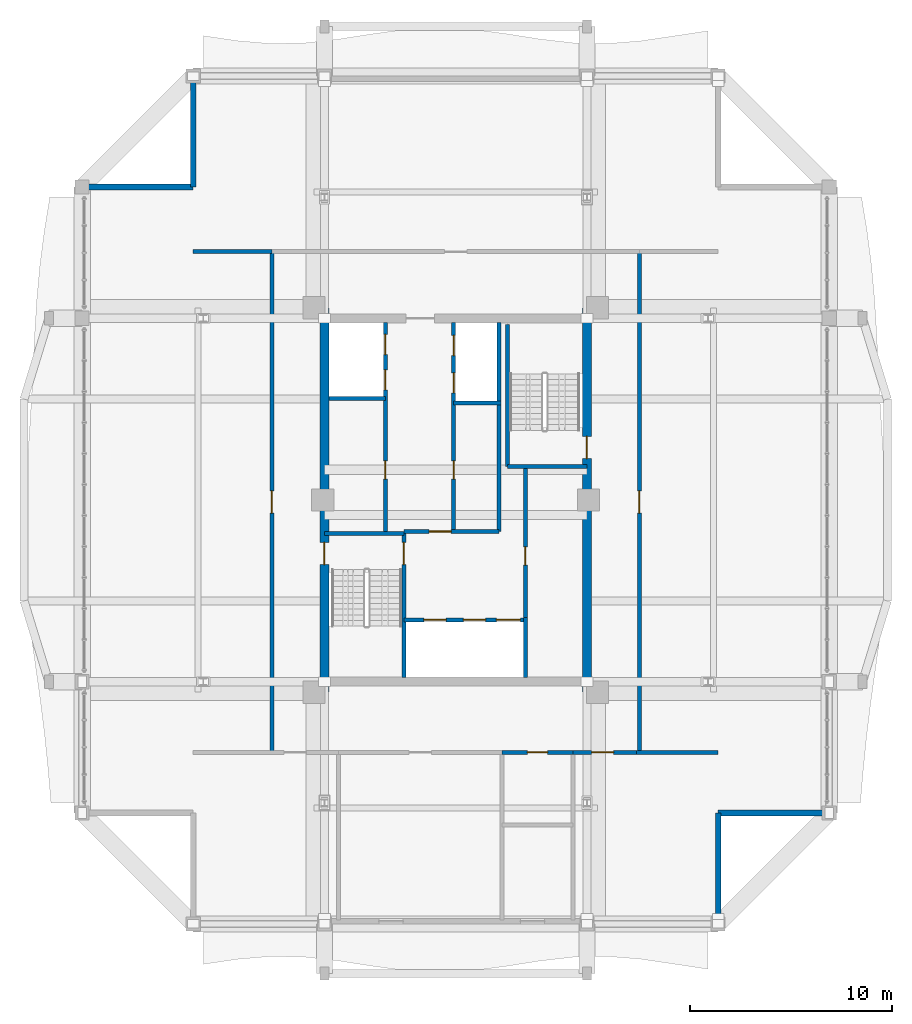
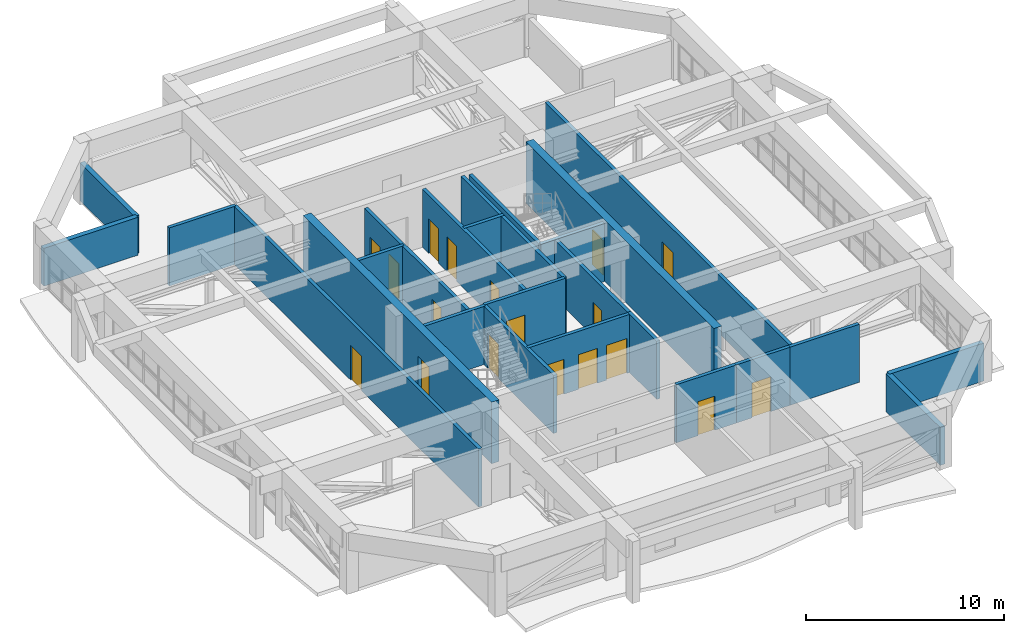
# One storey, part 21 of 25: 26 walls, 18 doors, 18 openings.
"""IFC4 building model written with IfcOpenShell, lengths in metres."""

from ifc_helpers import new_model, si_unit, direction, frame, frame_2d, origin, place, context, subcontext, project, spatial, rectangle, extrude, source, transform, mapped, material, layer, layer_set, type_object, element, fill, save


model = new_model("IFC4")

# Units and contexts
model_context = context("Model", 3, precision=1e-05, world=origin(), true_north=direction((0.0, 1.0)))
body_context = subcontext(model_context, "Body", "Model", "MODEL_VIEW")
ifc_project = project(units=[si_unit("LENGTHUNIT", "METRE"), si_unit("AREAUNIT", "SQUARE_METRE"), si_unit("VOLUMEUNIT", "CUBIC_METRE"), si_unit("PLANEANGLEUNIT", "RADIAN"), si_unit("MASSUNIT", "GRAM", prefix="KILO")], contexts=[model_context])

# Site, building, storey
site_placement = place(None, origin())
site = spatial("IfcSite", under=ifc_project, at=site_placement, CompositionType="ELEMENT")
building_placement = place(site_placement, origin())
building = spatial("IfcBuilding", under=site, at=building_placement, Name="Saelheon Loggia Tower", CompositionType="ELEMENT")
storey_placement = place(building_placement, frame((0.0, 0.0, 206.5)))
storey = spatial("IfcBuildingStorey", under=building, at=storey_placement, Name="L64", CompositionType="ELEMENT", Elevation=206.5)

# Wall, opening, door
ifc_material_1 = material(Name="Concrete C45/55", Category="concrete")
ifc_layer_1 = layer(ifc_material_1, 0.449951171875)
ifc_layer_set_1 = layer_set([ifc_layer_1], Name="Concrete C45/55")
wall_type_1 = type_object("IfcWallType", Name="Wall_CoreShear_450", PredefinedType="SHEAR", material=ifc_layer_set_1)
wall_1_placement = place(storey_placement, frame((31.5, 17.47998046875, 0.0), z_axis=(0.0, 0.0, 1.0), x_axis=(0.0, 1.0, 0.0)))
wall_1 = element("IfcWall", 1, at=wall_1_placement, inside=storey, type_object=wall_type_1, Name="L64 Core Shear Wall West", PredefinedType="SHEAR", context=body_context, shape_type="SweptSolid", body=[
    extrude(rectangle(XDim=19.0400390625, YDim=0.449951171875, at=frame_2d((9.52001953125, 0.0))), origin(), (0.0, 0.0, 1.0), 3.800048828125),
])
opening_1_placement = place(wall_1_placement, frame((6.320068359375, 0.0, 0.0)))
opening_1 = element("IfcOpeningElement", 2, at=opening_1_placement, cuts=wall_1, Name="Opening D-FD2", PredefinedType="OPENING", context=body_context, shape_type="SweptSolid", body=[
    extrude(rectangle(XDim=1.10009765625, YDim=2.14990234375, at=frame_2d((0.550048828125, 1.074951171875))), frame((0.0, 0.237060546875, 0.0), z_axis=(0.0, -1.0, 0.0), x_axis=(1.0, 0.0, 0.0)), (0.0, 0.0, 1.0), 0.473876953125),
])
ifc_material_2 = material(Name="Galvanised Steel Fire Door", Category="steel")
door_type_1 = type_object("IfcDoorType", Name="Door_Fire_FD60_1100", OperationType="NOTDEFINED", PredefinedType="DOOR", material=ifc_material_2)
shared_shape_1 = source(origin(), body_context, "Body", "SweptSolid", [
    extrude(rectangle(XDim=1.10009765625, YDim=2.14990234375, at=frame_2d((0.550048828125, 1.074951171875))), frame((0.0, 0.02490234375, 0.0), z_axis=(0.0, -1.0, 0.0), x_axis=(1.0, 0.0, 0.0)), (0.0, 0.0, 1.0), 0.050048828125),
])
door_1_placement = place(opening_1_placement, origin())
door_1 = element("IfcDoor", 3, at=door_1_placement, inside=storey, type_object=door_type_1, Name="L64 Stair ST1 Corridor Door", OperationType="SINGLE_SWING_LEFT", OverallHeight=2.14990234375, OverallWidth=1.10009765625, PredefinedType="DOOR", context=body_context, shape_type="MappedRepresentation", body=[
    mapped(shared_shape_1, transform((0.0, 0.0, 0.0), scale=1.0)),
])
fill(opening_1, door_1)

wall_2_placement = place(storey_placement, frame((44.5, 17.47998046875, 0.0), z_axis=(0.0, 0.0, 1.0), x_axis=(0.0, 1.0, 0.0)))
wall_2 = element("IfcWall", 4, at=wall_2_placement, inside=storey, type_object=wall_type_1, Name="L64 Core Shear Wall East", PredefinedType="SHEAR", context=body_context, shape_type="SweptSolid", body=[
    extrude(rectangle(XDim=19.0400390625, YDim=0.449951171875, at=frame_2d((9.52001953125, 0.0))), origin(), (0.0, 0.0, 1.0), 3.800048828125),
])
opening_2_placement = place(wall_2_placement, frame((12.670166015625, 0.0, 0.0), z_axis=(0.0, 0.0, 1.0), x_axis=(-1.0, 0.0, 0.0)))
opening_2 = element("IfcOpeningElement", 5, at=opening_2_placement, cuts=wall_2, Name="Opening D-FD2", PredefinedType="OPENING", context=body_context, shape_type="SweptSolid", body=[
    extrude(rectangle(XDim=1.10009765625, YDim=2.14990234375, at=frame_2d((0.550048828125, 1.074951171875))), frame((0.0, 0.237060546875, 0.0), z_axis=(0.0, -1.0, 0.0), x_axis=(1.0, 0.0, 0.0)), (0.0, 0.0, 1.0), 0.473876953125),
])
door_2_placement = place(opening_2_placement, origin())
door_2 = element("IfcDoor", 6, at=door_2_placement, inside=storey, type_object=door_type_1, Name="L64 Stair ST2 Corridor Door", OperationType="SINGLE_SWING_RIGHT", OverallHeight=2.14990234375, OverallWidth=1.10009765625, PredefinedType="DOOR", context=body_context, shape_type="MappedRepresentation", body=[
    mapped(shared_shape_1, transform((0.0, 0.0, 0.0), scale=1.0)),
])
fill(opening_2, door_2)

# Walls
ifc_material_3 = material(Name="Architectural Precast Concrete C40/50", Category="concrete")
ifc_layer_2 = layer(ifc_material_3, 0.280029296875)
ifc_layer_set_2 = layer_set([ifc_layer_2], Name="Architectural Precast Concrete C40/50")
wall_type_2 = type_object("IfcWallType", Name="Wall_Ext_Loggia_280", PredefinedType="SOLIDWALL", material=ifc_layer_set_2)
for number, where, z_axis, x_axis, name in (
    (7, (51.0, 6.0, 0.0), (0.0, 0.0, 1.0), (0.0, 1.0, 0.0), "L64 Notch Wall SE1"),
    (8, (51.0, 11.5, 0.0), (0.0, 0.0, 1.0), (1.0, 0.0, 0.0), "L64 Notch Wall SE2"),
    (9, (25.0, 42.5, 0.0), (0.0, 0.0, 1.0), (0.0, 1.0, 0.0), "L64 Notch Wall NW1"),
    (10, (19.5, 42.5, 0.0), (0.0, 0.0, 1.0), (1.0, 0.0, 0.0), "L64 Notch Wall NW2"),
):
    element("IfcWall", number, at=place(storey_placement, frame(where, z_axis=z_axis, x_axis=x_axis)), inside=storey, type_object=wall_type_2, Name=name, PredefinedType="SOLIDWALL", context=body_context, shape_type="SweptSolid", body=[
        extrude(rectangle(XDim=5.5, YDim=0.280029296875, at=frame_2d((2.75, 0.0))), origin(), (0.0, 0.0, 1.0), 2.340087890625),
    ])
ifc_material_4 = material(Name="Concrete C40/50", Category="concrete")
ifc_layer_3 = layer(ifc_material_4, 0.199951171875)
ifc_layer_set_3 = layer_set([ifc_layer_3], Name="Concrete C40/50")
wall_type_3 = type_object("IfcWallType", Name="Wall_Shaft_200", PredefinedType="PARTITIONING", material=ifc_layer_set_3)
wall_3_placement = place(storey_placement, frame((41.449951171875, 18.219970703125, 0.0), z_axis=(0.0, 0.0, 1.0), x_axis=(0.0, 1.0, 0.0)))
element("IfcWall", 11, at=wall_3_placement, inside=storey, type_object=wall_type_3, Name="CW-INT-L64-BOH-W0", PredefinedType="PARTITIONING", context=body_context, shape_type="SweptSolid", body=[
    extrude(rectangle(XDim=2.9599609375, YDim=0.199951171875, at=frame_2d((1.47998046875, 0.0))), origin(), (0.0, 0.0, 1.0), 3.590087890625),
])

# Wall, opening, door
wall_4_placement = place(storey_placement, frame((41.449951171875, 21.179931640625, 0.0), z_axis=(0.0, 0.0, 1.0), x_axis=(0.0, 1.0, 0.0)))
wall_4 = element("IfcWall", 12, at=wall_4_placement, inside=storey, type_object=wall_type_3, Name="CW-INT-L64-BOH-W1", PredefinedType="PARTITIONING", context=body_context, shape_type="SweptSolid", body=[
    extrude(rectangle(XDim=7.420166015625, YDim=0.199951171875, at=frame_2d((3.7099609375, 0.0))), origin(), (0.0, 0.0, 1.0), 3.590087890625),
])
opening_3_placement = place(wall_4_placement, frame((2.60009765625, 0.0, 0.0)))
opening_3 = element("IfcOpeningElement", 13, at=opening_3_placement, cuts=wall_4, Name="Opening D-RS1", PredefinedType="OPENING", context=body_context, shape_type="SweptSolid", body=[
    extrude(rectangle(XDim=0.89990234375, YDim=2.10009765625, at=frame_2d((0.449951171875, 1.050048828125))), frame((0.0, 0.112060546875, 0.0), z_axis=(0.0, -1.0, 0.0), x_axis=(1.0, 0.0, 0.0)), (0.0, 0.0, 1.0), 0.223876953125),
])
ifc_material_5 = material(Name="Galvanised Steel Riser Access Door", Category="steel")
door_type_2 = type_object("IfcDoorType", Name="Door_Riser_FD60", OperationType="NOTDEFINED", PredefinedType="DOOR", material=ifc_material_5)
shared_shape_2 = source(origin(), body_context, "Body", "SweptSolid", [
    extrude(rectangle(XDim=0.89990234375, YDim=2.10009765625, at=frame_2d((0.449951171875, 1.050048828125))), frame((0.0, 0.02490234375, 0.0), z_axis=(0.0, -1.0, 0.0), x_axis=(1.0, 0.0, 0.0)), (0.0, 0.0, 1.0), 0.050048828125),
])
door_3_placement = place(opening_3_placement, origin())
door_3 = element("IfcDoor", 14, at=door_3_placement, inside=storey, type_object=door_type_2, Name="L64 Core Service Store Door", OperationType="SINGLE_SWING_RIGHT", OverallHeight=2.10009765625, OverallWidth=0.89990234375, PredefinedType="DOOR", context=body_context, shape_type="MappedRepresentation", body=[
    mapped(shared_shape_2, transform((0.0, 0.0, 0.0), scale=1.0)),
])
fill(opening_3, door_3)

# Walls
wall_5_placement = place(storey_placement, frame((40.14990234375, 25.43994140625, 0.0), z_axis=(0.0, 0.0, 1.0), x_axis=(0.0, 1.0, 0.0)))
element("IfcWall", 15, at=wall_5_placement, inside=storey, type_object=wall_type_3, Name="L64 Core Service Passage West Wall", PredefinedType="PARTITIONING", context=body_context, shape_type="SweptSolid", body=[
    extrude(rectangle(XDim=6.360107421875, YDim=0.199951171875, at=frame_2d((3.18017578125, 0.0))), origin(), (0.0, 0.0, 1.0), 3.590087890625),
])
wall_6_placement = place(storey_placement, frame((40.14990234375, 31.800048828125, 0.0), z_axis=(0.0, 0.0, 1.0), x_axis=(0.0, 1.0, 0.0)))
element("IfcWall", 16, at=wall_6_placement, inside=storey, type_object=wall_type_3, Name="L64 East High-Rise Hoistway East Wall", PredefinedType="PARTITIONING", context=body_context, shape_type="SweptSolid", body=[
    extrude(rectangle(XDim=3.97998046875, YDim=0.199951171875, at=frame_2d((1.989990234375, 0.0))), origin(), (0.0, 0.0, 1.0), 3.590087890625),
])

# Wall, openings, doors
wall_7_placement = place(storey_placement, frame((35.429931640625, 21.06005859375, 0.0), z_axis=(0.0, 0.0, 1.0), x_axis=(1.0, 0.0, 0.0)))
wall_7 = element("IfcWall", 17, at=wall_7_placement, inside=storey, type_object=wall_type_3, Name="L64 Firefighting Lift Shaft Front Wall", PredefinedType="PARTITIONING", context=body_context, shape_type="SweptSolid", body=[
    extrude(rectangle(XDim=6.02001953125, YDim=0.199951171875, at=frame_2d((3.010009765625, 0.0))), origin(), (0.0, 0.0, 1.0), 3.590087890625),
])
opening_4_placement = place(wall_7_placement, frame((1.0, 0.0, 0.0)))
opening_4 = element("IfcOpeningElement", 18, at=opening_4_placement, cuts=wall_7, Name="Opening LD2", PredefinedType="OPENING", context=body_context, shape_type="SweptSolid", body=[
    extrude(rectangle(XDim=1.10009765625, YDim=2.14990234375, at=frame_2d((0.550048828125, 1.074951171875))), frame((0.0, 0.112060546875, 0.0), z_axis=(0.0, -1.0, 0.0), x_axis=(1.0, 0.0, 0.0)), (0.0, 0.0, 1.0), 0.223876953125),
])
opening_5_placement = place(wall_7_placement, frame((2.949951171875, 0.0, 0.0)))
opening_5 = element("IfcOpeningElement", 19, at=opening_5_placement, cuts=wall_7, Name="Opening LD2", PredefinedType="OPENING", context=body_context, shape_type="SweptSolid", body=[
    extrude(rectangle(XDim=1.10009765625, YDim=2.14990234375, at=frame_2d((0.550048828125, 1.074951171875))), frame((0.0, 0.112060546875, 0.0), z_axis=(0.0, -1.0, 0.0), x_axis=(1.0, 0.0, 0.0)), (0.0, 0.0, 1.0), 0.223876953125),
])
opening_6_placement = place(wall_7_placement, frame((4.580078125, 0.0, 0.0)))
opening_6 = element("IfcOpeningElement", 20, at=opening_6_placement, cuts=wall_7, Name="Opening LD3", PredefinedType="OPENING", context=body_context, shape_type="SweptSolid", body=[
    extrude(rectangle(XDim=1.199951171875, YDim=2.14990234375, at=frame_2d((0.60009765625, 1.074951171875))), frame((0.0, 0.112060546875, 0.0), z_axis=(0.0, -1.0, 0.0), x_axis=(1.0, 0.0, 0.0)), (0.0, 0.0, 1.0), 0.223876953125),
])
ifc_material_6 = material(Name="Firefighting Stainless Steel 316 Landing Door", Category="steel")
door_type_3 = type_object("IfcDoorType", Name="Door_Lift_LD2", OperationType="DOUBLE_DOOR_SLIDING", PredefinedType="DOOR", material=ifc_material_6)
door_4_placement = place(opening_4_placement, origin())
door_4 = element("IfcDoor", 21, at=door_4_placement, inside=storey, type_object=door_type_3, Name="L64 FF1 Landing Door", OperationType="DOUBLE_DOOR_SLIDING", OverallHeight=2.14990234375, OverallWidth=1.10009765625, PredefinedType="DOOR", context=body_context, shape_type="MappedRepresentation", body=[
    mapped(shared_shape_1, transform((0.0, 0.0, 0.0), scale=1.0)),
])
fill(opening_4, door_4)
door_5_placement = place(opening_5_placement, origin())
door_5 = element("IfcDoor", 22, at=door_5_placement, inside=storey, type_object=door_type_3, Name="L64 FF2 Landing Door", OperationType="DOUBLE_DOOR_SLIDING", OverallHeight=2.14990234375, OverallWidth=1.10009765625, PredefinedType="DOOR", context=body_context, shape_type="MappedRepresentation", body=[
    mapped(shared_shape_1, transform((0.0, 0.0, 0.0), scale=1.0)),
])
fill(opening_5, door_5)
ifc_material_7 = material(Name="Stretcher Lift Stainless Steel 304 Landing Door", Category="steel")
door_type_4 = type_object("IfcDoorType", Name="Door_Lift_LD3", OperationType="DOUBLE_DOOR_SLIDING", PredefinedType="DOOR", material=ifc_material_7)
shared_shape_3 = source(origin(), body_context, "Body", "SweptSolid", [
    extrude(rectangle(XDim=1.199951171875, YDim=2.14990234375, at=frame_2d((0.60009765625, 1.074951171875))), frame((0.0, 0.02490234375, 0.0), z_axis=(0.0, -1.0, 0.0), x_axis=(1.0, 0.0, 0.0)), (0.0, 0.0, 1.0), 0.050048828125),
])
door_6_placement = place(opening_6_placement, origin())
door_6 = element("IfcDoor", 23, at=door_6_placement, inside=storey, type_object=door_type_4, Name="L64 SV1 Landing Door", OperationType="DOUBLE_DOOR_SLIDING", OverallHeight=2.14990234375, OverallWidth=1.199951171875, PredefinedType="DOOR", context=body_context, shape_type="MappedRepresentation", body=[
    mapped(shared_shape_3, transform((0.0, 0.0, 0.0), scale=1.0)),
])
fill(opening_6, door_6)

# Wall, opening, door
wall_8_placement = place(storey_placement, frame((35.429931640625, 25.43994140625, 0.0), z_axis=(0.0, 0.0, 1.0), x_axis=(1.0, 0.0, 0.0)))
wall_8 = element("IfcWall", 24, at=wall_8_placement, inside=storey, type_object=wall_type_3, Name="L64 Firefighting Lobby Compartment Wall", PredefinedType="PARTITIONING", context=body_context, shape_type="SweptSolid", body=[
    extrude(rectangle(XDim=4.719970703125, YDim=0.199951171875, at=frame_2d((2.35986328125, 0.0))), origin(), (0.0, 0.0, 1.0), 3.590087890625),
])
opening_7_placement = place(wall_8_placement, frame((1.25, 0.0, 0.0)))
opening_7 = element("IfcOpeningElement", 25, at=opening_7_placement, cuts=wall_8, Name="Opening D-FD2", PredefinedType="OPENING", context=body_context, shape_type="SweptSolid", body=[
    extrude(rectangle(XDim=1.10009765625, YDim=2.14990234375, at=frame_2d((0.550048828125, 1.074951171875))), frame((0.0, 0.112060546875, 0.0), z_axis=(0.0, -1.0, 0.0), x_axis=(1.0, 0.0, 0.0)), (0.0, 0.0, 1.0), 0.223876953125),
])
door_7_placement = place(opening_7_placement, origin())
door_7 = element("IfcDoor", 26, at=door_7_placement, inside=storey, type_object=door_type_1, Name="L64 Firefighting Lobby Door", OperationType="SINGLE_SWING_LEFT", OverallHeight=2.14990234375, OverallWidth=1.10009765625, PredefinedType="DOOR", context=body_context, shape_type="MappedRepresentation", body=[
    mapped(shared_shape_1, transform((0.0, 0.0, 0.0), scale=1.0)),
])
fill(opening_7, door_7)

# Wall, openings, doors
wall_9_placement = place(storey_placement, frame((34.52001953125, 25.43994140625, 0.0), z_axis=(0.0, 0.0, 1.0), x_axis=(0.0, 1.0, 0.0)))
wall_9 = element("IfcWall", 27, at=wall_9_placement, inside=storey, type_object=wall_type_3, Name="L64 West Passenger Lift Bank Wall", PredefinedType="PARTITIONING", context=body_context, shape_type="SweptSolid", body=[
    extrude(rectangle(XDim=10.340087890625, YDim=0.199951171875, at=frame_2d((5.169921875, 0.0))), origin(), (0.0, 0.0, 1.0), 3.590087890625),
])
opening_8_placement = place(wall_9_placement, frame((2.60009765625, 0.0, 0.0)))
opening_8 = element("IfcOpeningElement", 28, at=opening_8_placement, cuts=wall_9, Name="Opening D-RS1", PredefinedType="OPENING", context=body_context, shape_type="SweptSolid", body=[
    extrude(rectangle(XDim=0.89990234375, YDim=2.10009765625, at=frame_2d((0.449951171875, 1.050048828125))), frame((0.0, 0.112060546875, 0.0), z_axis=(0.0, -1.0, 0.0), x_axis=(1.0, 0.0, 0.0)), (0.0, 0.0, 1.0), 0.223876953125),
])
opening_9_placement = place(wall_9_placement, frame((7.010009765625, 0.0, 0.0)))
opening_9 = element("IfcOpeningElement", 29, at=opening_9_placement, cuts=wall_9, Name="Opening LD1", PredefinedType="OPENING", context=body_context, shape_type="SweptSolid", body=[
    extrude(rectangle(XDim=1.0, YDim=2.14990234375, at=frame_2d((0.5, 1.074951171875))), frame((0.0, 0.112060546875, 0.0), z_axis=(0.0, -1.0, 0.0), x_axis=(1.0, 0.0, 0.0)), (0.0, 0.0, 1.0), 0.223876953125),
])
opening_10_placement = place(wall_9_placement, frame((8.760009765625, 0.0, 0.0)))
opening_10 = element("IfcOpeningElement", 30, at=opening_10_placement, cuts=wall_9, Name="Opening LD1", PredefinedType="OPENING", context=body_context, shape_type="SweptSolid", body=[
    extrude(rectangle(XDim=1.0, YDim=2.14990234375, at=frame_2d((0.5, 1.074951171875))), frame((0.0, 0.112060546875, 0.0), z_axis=(0.0, -1.0, 0.0), x_axis=(1.0, 0.0, 0.0)), (0.0, 0.0, 1.0), 0.223876953125),
])
door_8_placement = place(opening_8_placement, origin())
door_8 = element("IfcDoor", 31, at=door_8_placement, inside=storey, type_object=door_type_2, Name="L64 Core Parcel Room Door", OperationType="SINGLE_SWING_LEFT", OverallHeight=2.10009765625, OverallWidth=0.89990234375, PredefinedType="DOOR", context=body_context, shape_type="MappedRepresentation", body=[
    mapped(shared_shape_2, transform((0.0, 0.0, 0.0), scale=1.0)),
])
fill(opening_8, door_8)
ifc_material_8 = material(Name="Brushed Stainless Steel 304 Landing Door", Category="steel")
door_type_5 = type_object("IfcDoorType", Name="Door_Lift_LD1", OperationType="DOUBLE_DOOR_SLIDING", PredefinedType="DOOR", material=ifc_material_8)
shared_shape_4 = source(origin(), body_context, "Body", "SweptSolid", [
    extrude(rectangle(XDim=1.0, YDim=2.14990234375, at=frame_2d((0.5, 1.074951171875))), frame((0.0, 0.02490234375, 0.0), z_axis=(0.0, -1.0, 0.0), x_axis=(1.0, 0.0, 0.0)), (0.0, 0.0, 1.0), 0.050048828125),
])
door_9_placement = place(opening_9_placement, origin())
door_9 = element("IfcDoor", 32, at=door_9_placement, inside=storey, type_object=door_type_5, Name="L64 PH1 Landing Door", OperationType="DOUBLE_DOOR_SLIDING", OverallHeight=2.14990234375, OverallWidth=1.0, PredefinedType="DOOR", context=body_context, shape_type="MappedRepresentation", body=[
    mapped(shared_shape_4, transform((0.0, 0.0, 0.0), scale=1.0)),
])
fill(opening_9, door_9)
door_10_placement = place(opening_10_placement, origin())
door_10 = element("IfcDoor", 33, at=door_10_placement, inside=storey, type_object=door_type_5, Name="L64 PH2 Landing Door", OperationType="DOUBLE_DOOR_SLIDING", OverallHeight=2.14990234375, OverallWidth=1.0, PredefinedType="DOOR", context=body_context, shape_type="MappedRepresentation", body=[
    mapped(shared_shape_4, transform((0.0, 0.0, 0.0), scale=1.0)),
])
fill(opening_10, door_10)

# Wall
wall_10_placement = place(storey_placement, frame((31.719970703125, 32.02001953125, 0.0), z_axis=(0.0, 0.0, 1.0), x_axis=(1.0, 0.0, 0.0)))
element("IfcWall", 34, at=wall_10_placement, inside=storey, type_object=wall_type_3, Name="L64 West High-Rise Shaft Divider", PredefinedType="PARTITIONING", context=body_context, shape_type="SweptSolid", body=[
    extrude(rectangle(XDim=2.800048828125, YDim=0.199951171875, at=frame_2d((1.39990234375, 0.0))), origin(), (0.0, 0.0, 1.0), 3.590087890625),
])

# Wall, openings, doors
wall_11_placement = place(storey_placement, frame((37.89990234375, 25.43994140625, 0.0), z_axis=(0.0, 0.0, 1.0), x_axis=(0.0, 1.0, 0.0)))
wall_11 = element("IfcWall", 35, at=wall_11_placement, inside=storey, type_object=wall_type_3, Name="L64 East Passenger Lift Bank Wall", PredefinedType="PARTITIONING", context=body_context, shape_type="SweptSolid", body=[
    extrude(rectangle(XDim=10.340087890625, YDim=0.199951171875, at=frame_2d((5.169921875, 0.0))), origin(), (0.0, 0.0, 1.0), 3.590087890625),
])
opening_11_placement = place(wall_11_placement, frame((2.60009765625, 0.0, 0.0)))
opening_11 = element("IfcOpeningElement", 36, at=opening_11_placement, cuts=wall_11, Name="Opening D-RS1", PredefinedType="OPENING", context=body_context, shape_type="SweptSolid", body=[
    extrude(rectangle(XDim=0.89990234375, YDim=2.10009765625, at=frame_2d((0.449951171875, 1.050048828125))), frame((0.0, 0.112060546875, 0.0), z_axis=(0.0, -1.0, 0.0), x_axis=(1.0, 0.0, 0.0)), (0.0, 0.0, 1.0), 0.223876953125),
])
opening_12_placement = place(wall_11_placement, frame((6.860107421875, 0.0, 0.0)))
opening_12 = element("IfcOpeningElement", 37, at=opening_12_placement, cuts=wall_11, Name="Opening LD1", PredefinedType="OPENING", context=body_context, shape_type="SweptSolid", body=[
    extrude(rectangle(XDim=1.0, YDim=2.14990234375, at=frame_2d((0.5, 1.074951171875))), frame((0.0, 0.112060546875, 0.0), z_axis=(0.0, -1.0, 0.0), x_axis=(1.0, 0.0, 0.0)), (0.0, 0.0, 1.0), 0.223876953125),
])
opening_13_placement = place(wall_11_placement, frame((8.7099609375, 0.0, 0.0)))
opening_13 = element("IfcOpeningElement", 38, at=opening_13_placement, cuts=wall_11, Name="Opening LD1", PredefinedType="OPENING", context=body_context, shape_type="SweptSolid", body=[
    extrude(rectangle(XDim=1.0, YDim=2.14990234375, at=frame_2d((0.5, 1.074951171875))), frame((0.0, 0.112060546875, 0.0), z_axis=(0.0, -1.0, 0.0), x_axis=(1.0, 0.0, 0.0)), (0.0, 0.0, 1.0), 0.223876953125),
])
door_11_placement = place(opening_11_placement, origin())
door_11 = element("IfcDoor", 39, at=door_11_placement, inside=storey, type_object=door_type_2, Name="L64 Upper Storage Room Door", OperationType="SINGLE_SWING_RIGHT", OverallHeight=2.10009765625, OverallWidth=0.89990234375, PredefinedType="DOOR", context=body_context, shape_type="MappedRepresentation", body=[
    mapped(shared_shape_2, transform((0.0, 0.0, 0.0), scale=1.0)),
])
fill(opening_11, door_11)
door_12_placement = place(opening_12_placement, origin())
door_12 = element("IfcDoor", 40, at=door_12_placement, inside=storey, type_object=door_type_5, Name="L64 PH3 Landing Door", OperationType="DOUBLE_DOOR_SLIDING", OverallHeight=2.14990234375, OverallWidth=1.0, PredefinedType="DOOR", context=body_context, shape_type="MappedRepresentation", body=[
    mapped(shared_shape_4, transform((0.0, 0.0, 0.0), scale=1.0)),
])
fill(opening_12, door_12)
door_13_placement = place(opening_13_placement, origin())
door_13 = element("IfcDoor", 41, at=door_13_placement, inside=storey, type_object=door_type_5, Name="L64 PH4 Landing Door", OperationType="DOUBLE_DOOR_SLIDING", OverallHeight=2.14990234375, OverallWidth=1.0, PredefinedType="DOOR", context=body_context, shape_type="MappedRepresentation", body=[
    mapped(shared_shape_4, transform((0.0, 0.0, 0.0), scale=1.0)),
])
fill(opening_13, door_13)

# Wall
wall_12_placement = place(storey_placement, frame((37.89990234375, 31.800048828125, 0.0), z_axis=(0.0, 0.0, 1.0), x_axis=(1.0, 0.0, 0.0)))
element("IfcWall", 42, at=wall_12_placement, inside=storey, type_object=wall_type_3, Name="L64 East High-Rise Shaft Divider", PredefinedType="PARTITIONING", context=body_context, shape_type="SweptSolid", body=[
    extrude(rectangle(XDim=2.35009765625, YDim=0.199951171875, at=frame_2d((1.175048828125, 0.0))), origin(), (0.0, 0.0, 1.0), 3.590087890625),
])

# Wall, opening, door
wall_13_placement = place(storey_placement, frame((40.300048828125, 14.5, 0.0), z_axis=(0.0, 0.0, 1.0), x_axis=(1.0, 0.0, 0.0)))
wall_13 = element("IfcWall", 43, at=wall_13_placement, inside=storey, type_object=wall_type_3, Name="PW-L64-RFG-SC2", PredefinedType="PARTITIONING", context=body_context, shape_type="SweptSolid", body=[
    extrude(rectangle(XDim=3.5, YDim=0.199951171875, at=frame_2d((1.75, 0.0))), origin(), (0.0, 0.0, 1.0), 3.590087890625),
])
opening_14_placement = place(wall_13_placement, frame((1.25, 0.0, 0.0)))
opening_14 = element("IfcOpeningElement", 44, at=opening_14_placement, cuts=wall_13, Name="Opening D-AC1", PredefinedType="OPENING", context=body_context, shape_type="SweptSolid", body=[
    extrude(rectangle(XDim=1.0, YDim=2.10009765625, at=frame_2d((0.5, 1.050048828125))), frame((0.0, 0.112060546875, 0.0), z_axis=(0.0, -1.0, 0.0), x_axis=(1.0, 0.0, 0.0)), (0.0, 0.0, 1.0), 0.223876953125),
])
ifc_material_9 = material(Name="Accessible Laminate Flush Door", Category="timber")
door_type_6 = type_object("IfcDoorType", Name="Door_Acc_1000", OperationType="NOTDEFINED", PredefinedType="DOOR", material=ifc_material_9)
shared_shape_5 = source(origin(), body_context, "Body", "SweptSolid", [
    extrude(rectangle(XDim=1.0, YDim=2.10009765625, at=frame_2d((0.5, 1.050048828125))), frame((0.0, 0.02490234375, 0.0), z_axis=(0.0, -1.0, 0.0), x_axis=(1.0, 0.0, 0.0)), (0.0, 0.0, 1.0), 0.050048828125),
])
door_14_placement = place(opening_14_placement, origin())
door_14 = element("IfcDoor", 45, at=door_14_placement, inside=storey, type_object=door_type_6, Name="L64 Refuge Accessible WC Door", OperationType="SINGLE_SWING_LEFT", OverallHeight=2.10009765625, OverallWidth=1.0, PredefinedType="DOOR", context=body_context, shape_type="MappedRepresentation", body=[
    mapped(shared_shape_5, transform((0.0, 0.0, 0.0), scale=1.0)),
])
fill(opening_14, door_14)

wall_14_placement = place(storey_placement, frame((43.800048828125, 14.5, 0.0), z_axis=(0.0, 0.0, 1.0), x_axis=(1.0, 0.0, 0.0)))
wall_14 = element("IfcWall", 46, at=wall_14_placement, inside=storey, type_object=wall_type_3, Name="PW-L64-RFG-SE1", PredefinedType="PARTITIONING", context=body_context, shape_type="SweptSolid", body=[
    extrude(rectangle(XDim=3.14990234375, YDim=0.199951171875, at=frame_2d((1.574951171875, 0.0))), origin(), (0.0, 0.0, 1.0), 3.590087890625),
])
opening_15_placement = place(wall_14_placement, frame((0.927978515625, 0.0, 0.0)))
opening_15 = element("IfcOpeningElement", 47, at=opening_15_placement, cuts=wall_14, Name="Opening D-FD2", PredefinedType="OPENING", context=body_context, shape_type="SweptSolid", body=[
    extrude(rectangle(XDim=1.10009765625, YDim=2.14990234375, at=frame_2d((0.550048828125, 1.074951171875))), frame((0.0, 0.112060546875, 0.0), z_axis=(0.0, -1.0, 0.0), x_axis=(1.0, 0.0, 0.0)), (0.0, 0.0, 1.0), 0.223876953125),
])
door_15_placement = place(opening_15_placement, origin())
door_15 = element("IfcDoor", 48, at=door_15_placement, inside=storey, type_object=door_type_1, Name="L64 Plant Bay SE Door", OperationType="SINGLE_SWING_RIGHT", OverallHeight=2.14990234375, OverallWidth=1.10009765625, PredefinedType="DOOR", context=body_context, shape_type="MappedRepresentation", body=[
    mapped(shared_shape_1, transform((0.0, 0.0, 0.0), scale=1.0)),
])
fill(opening_15, door_15)

# Walls
wall_15_placement = place(storey_placement, frame((46.949951171875, 14.5, 0.0), z_axis=(0.0, 0.0, 1.0), x_axis=(1.0, 0.0, 0.0)))
element("IfcWall", 49, at=wall_15_placement, inside=storey, type_object=wall_type_3, Name="PW-L64-RFG-SE2", PredefinedType="PARTITIONING", context=body_context, shape_type="SweptSolid", body=[
    extrude(rectangle(XDim=4.050048828125, YDim=0.199951171875, at=frame_2d((2.02490234375, 0.0))), origin(), (0.0, 0.0, 1.0), 3.590087890625),
])
wall_16_placement = place(storey_placement, frame((25.0, 39.300048828125, 0.0), z_axis=(0.0, 0.0, 1.0), x_axis=(1.0, 0.0, 0.0)))
element("IfcWall", 50, at=wall_16_placement, inside=storey, type_object=wall_type_3, Name="PW-L64-PMP-NW", PredefinedType="PARTITIONING", context=body_context, shape_type="SweptSolid", body=[
    extrude(rectangle(XDim=3.89990234375, YDim=0.199951171875, at=frame_2d((1.949951171875, 0.0))), origin(), (0.0, 0.0, 1.0), 3.590087890625),
])

# Wall, opening, door
wall_17_placement = place(storey_placement, frame((28.89990234375, 14.5, 0.0), z_axis=(0.0, 0.0, 1.0), x_axis=(0.0, 1.0, 0.0)))
wall_17 = element("IfcWall", 51, at=wall_17_placement, inside=storey, type_object=wall_type_3, Name="PW-L64-AHU-W", PredefinedType="PARTITIONING", context=body_context, shape_type="SweptSolid", body=[
    extrude(rectangle(XDim=24.800048828125, YDim=0.199951171875, at=frame_2d((12.39990234375, 0.0))), origin(), (0.0, 0.0, 1.0), 3.590087890625),
])
opening_16_placement = place(wall_17_placement, frame((11.85009765625, 0.0, 0.0)))
opening_16 = element("IfcOpeningElement", 52, at=opening_16_placement, cuts=wall_17, Name="Opening D-FD2", PredefinedType="OPENING", context=body_context, shape_type="SweptSolid", body=[
    extrude(rectangle(XDim=1.10009765625, YDim=2.14990234375, at=frame_2d((0.550048828125, 1.074951171875))), frame((0.0, 0.112060546875, 0.0), z_axis=(0.0, -1.0, 0.0), x_axis=(1.0, 0.0, 0.0)), (0.0, 0.0, 1.0), 0.223876953125),
])
door_16_placement = place(opening_16_placement, origin())
door_16 = element("IfcDoor", 53, at=door_16_placement, inside=storey, type_object=door_type_1, Name="L64 AHU Plant Room Door", OperationType="SINGLE_SWING_RIGHT", OverallHeight=2.14990234375, OverallWidth=1.10009765625, PredefinedType="DOOR", context=body_context, shape_type="MappedRepresentation", body=[
    mapped(shared_shape_1, transform((0.0, 0.0, 0.0), scale=1.0)),
])
fill(opening_16, door_16)

wall_18_placement = place(storey_placement, frame((47.10009765625, 14.5, 0.0), z_axis=(0.0, 0.0, 1.0), x_axis=(0.0, 1.0, 0.0)))
wall_18 = element("IfcWall", 54, at=wall_18_placement, inside=storey, type_object=wall_type_3, Name="PW-L64-ELC-E", PredefinedType="PARTITIONING", context=body_context, shape_type="SweptSolid", body=[
    extrude(rectangle(XDim=24.800048828125, YDim=0.199951171875, at=frame_2d((12.39990234375, 0.0))), origin(), (0.0, 0.0, 1.0), 3.590087890625),
])
opening_17_placement = place(wall_18_placement, frame((11.85009765625, 0.0, 0.0)))
opening_17 = element("IfcOpeningElement", 55, at=opening_17_placement, cuts=wall_18, Name="Opening D-FD2", PredefinedType="OPENING", context=body_context, shape_type="SweptSolid", body=[
    extrude(rectangle(XDim=1.10009765625, YDim=2.14990234375, at=frame_2d((0.550048828125, 1.074951171875))), frame((0.0, 0.112060546875, 0.0), z_axis=(0.0, -1.0, 0.0), x_axis=(1.0, 0.0, 0.0)), (0.0, 0.0, 1.0), 0.223876953125),
])
door_17_placement = place(opening_17_placement, origin())
door_17 = element("IfcDoor", 56, at=door_17_placement, inside=storey, type_object=door_type_1, Name="L64 Electrical Plant Room Door", OperationType="SINGLE_SWING_LEFT", OverallHeight=2.14990234375, OverallWidth=1.10009765625, PredefinedType="DOOR", context=body_context, shape_type="MappedRepresentation", body=[
    mapped(shared_shape_1, transform((0.0, 0.0, 0.0), scale=1.0)),
])
fill(opening_17, door_17)

ifc_layer_4 = layer(ifc_material_1, 0.199951171875)
ifc_layer_set_4 = layer_set([ifc_layer_4], Name="Concrete C45/55")
wall_type_4 = type_object("IfcWallType", Name="Wall_StairShaft_RC200", PredefinedType="SOLIDWALL", material=ifc_layer_set_4)
wall_19_placement = place(storey_placement, frame((35.429931640625, 18.219970703125, 0.0), z_axis=(0.0, 0.0, 1.0), x_axis=(0.0, 1.0, 0.0)))
wall_19 = element("IfcWall", 57, at=wall_19_placement, inside=storey, type_object=wall_type_4, Name="L64 Stair ST1 Shaft Wall", PredefinedType="SOLIDWALL", context=body_context, shape_type="SweptSolid", body=[
    extrude(rectangle(XDim=7.219970703125, YDim=0.199951171875, at=frame_2d((3.60986328125, 0.0))), origin(), (0.0, 0.0, 1.0), 3.590087890625),
])
opening_18_placement = place(wall_19_placement, frame((6.68017578125, 0.0, 0.0), z_axis=(0.0, 0.0, 1.0), x_axis=(-1.0, 0.0, 0.0)))
opening_18 = element("IfcOpeningElement", 58, at=opening_18_placement, cuts=wall_19, Name="Opening D-FD2", PredefinedType="OPENING", context=body_context, shape_type="SweptSolid", body=[
    extrude(rectangle(XDim=1.10009765625, YDim=2.14990234375, at=frame_2d((0.550048828125, 1.074951171875))), frame((0.0, 0.112060546875, 0.0), z_axis=(0.0, -1.0, 0.0), x_axis=(1.0, 0.0, 0.0)), (0.0, 0.0, 1.0), 0.223876953125),
])
door_18_placement = place(opening_18_placement, origin())
door_18 = element("IfcDoor", 59, at=door_18_placement, inside=storey, type_object=door_type_1, Name="L64 Stair ST1 Lobby Door", OperationType="SINGLE_SWING_RIGHT", OverallHeight=2.14990234375, OverallWidth=1.10009765625, PredefinedType="DOOR", context=body_context, shape_type="MappedRepresentation", body=[
    mapped(shared_shape_1, transform((0.0, 0.0, 0.0), scale=1.0)),
])
fill(opening_18, door_18)

# Walls
wall_20_placement = place(storey_placement, frame((31.5, 25.35009765625, 0.0), z_axis=(0.0, 0.0, 1.0), x_axis=(1.0, 0.0, 0.0)))
element("IfcWall", 60, at=wall_20_placement, inside=storey, type_object=wall_type_4, Name="L64 Stair ST1 North Wall", PredefinedType="SOLIDWALL", context=body_context, shape_type="SweptSolid", body=[
    extrude(rectangle(XDim=3.929931640625, YDim=0.199951171875, at=frame_2d((1.96484375, 0.0))), origin(), (0.0, 0.0, 1.0), 3.590087890625),
])
wall_21_placement = place(storey_placement, frame((40.570068359375, 28.64990234375, 0.0), z_axis=(0.0, 0.0, 1.0), x_axis=(0.0, 1.0, 0.0)))
element("IfcWall", 61, at=wall_21_placement, inside=storey, type_object=wall_type_4, Name="L64 Stair ST2 Shaft Wall", PredefinedType="SOLIDWALL", context=body_context, shape_type="SweptSolid", body=[
    extrude(rectangle(XDim=7.050048828125, YDim=0.199951171875, at=frame_2d((3.52490234375, 0.0))), origin(), (0.0, 0.0, 1.0), 3.590087890625),
])
wall_22_placement = place(storey_placement, frame((40.570068359375, 28.64990234375, 0.0), z_axis=(0.0, 0.0, 1.0), x_axis=(1.0, 0.0, 0.0)))
element("IfcWall", 62, at=wall_22_placement, inside=storey, type_object=wall_type_4, Name="L64 Stair ST2 South Wall", PredefinedType="SOLIDWALL", context=body_context, shape_type="SweptSolid", body=[
    extrude(rectangle(XDim=3.929931640625, YDim=0.199951171875, at=frame_2d((1.96484375, 0.0))), origin(), (0.0, 0.0, 1.0), 3.590087890625),
])

save(model, "model.ifc")
